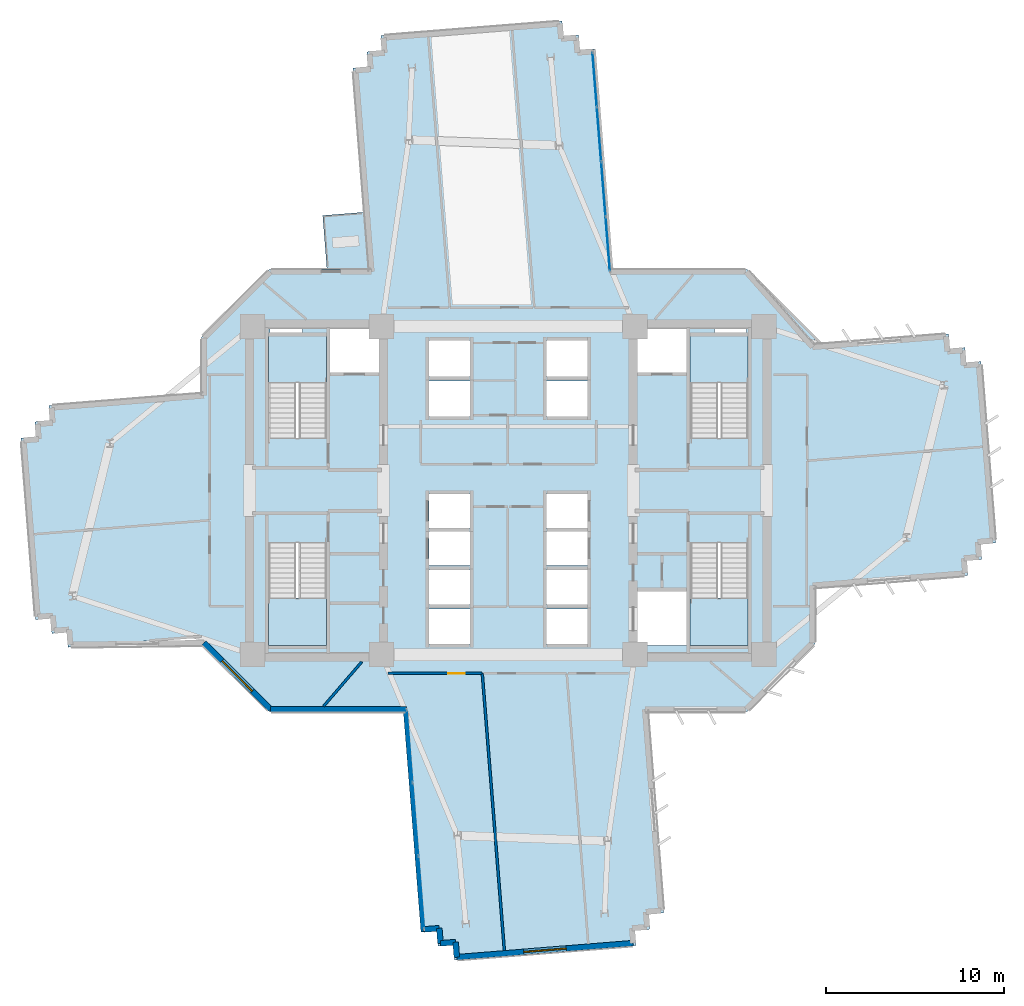
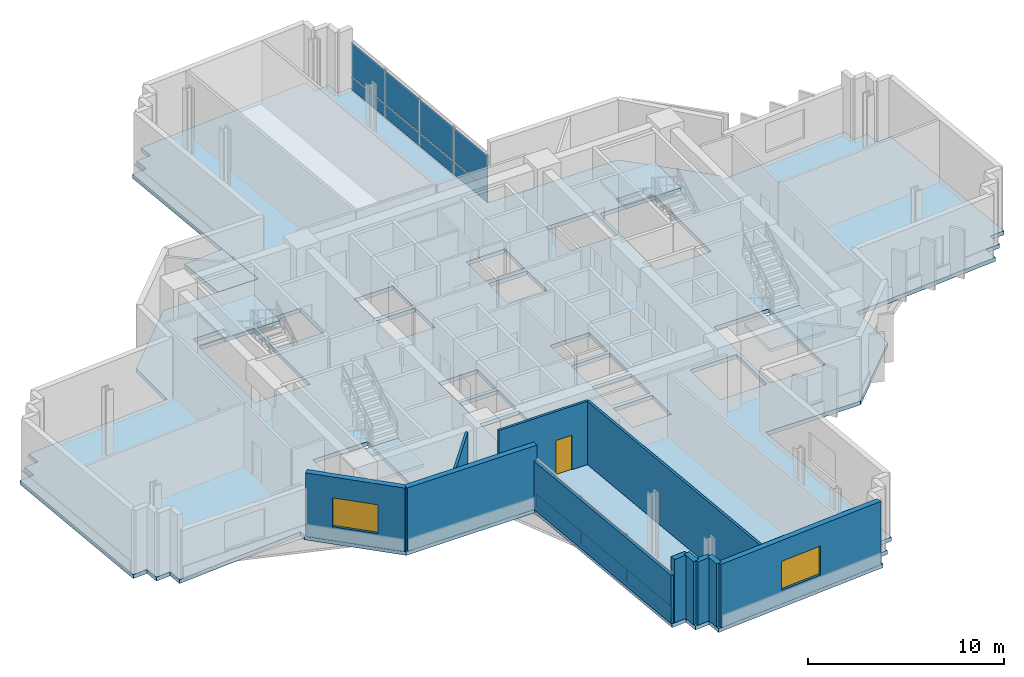
# One storey, part 5 of 15: 14 plates, 11 walls, 6 slabs, 2 windows, 1 door, 3 openings, 6 elements without a shape of their own.
"""IFC4 building model written with IfcOpenShell, lengths in metres."""

from ifc_helpers import new_model, si_unit, direction, frame, frame_2d, origin, origin_2d, place, context, subcontext, project, spatial, polyline, rectangle, outline, extrude, source, transform, mapped, material, layer, layer_set, type_object, element, fill, aggregate, save


model = new_model("IFC4")

# Units and contexts
model_context = context("Model", 3, precision=1e-05, world=origin(), true_north=direction((0.0, 1.0)))
body_context = subcontext(model_context, "Body", "Model", "MODEL_VIEW")
ifc_project = project(units=[si_unit("LENGTHUNIT", "METRE"), si_unit("AREAUNIT", "SQUARE_METRE"), si_unit("VOLUMEUNIT", "CUBIC_METRE"), si_unit("PLANEANGLEUNIT", "RADIAN"), si_unit("MASSUNIT", "GRAM", prefix="KILO")], contexts=[model_context])

# Site, building, storey
site_placement = place(None, origin())
site = spatial("IfcSite", under=ifc_project, at=site_placement, CompositionType="ELEMENT")
building_placement = place(site_placement, origin())
building = spatial("IfcBuilding", under=site, at=building_placement, Name="Zahravan Cultural Tower", CompositionType="ELEMENT")
storey_placement = place(building_placement, frame((0.0, 0.0, 83.699951171875)))
storey = spatial("IfcBuildingStorey", under=building, at=storey_placement, Name="L18", CompositionType="ELEMENT", Elevation=83.699951171875)

# Stair, slab
ifc_material_1 = material(Name="Concrete C45/55", Category="concrete")
stair_type = type_object("IfcStairType", Name="STR-DL-1550-420", PredefinedType="HALF_TURN_STAIR", material=ifc_material_1)
stair_1_placement = place(storey_placement, origin())
stair_1 = element("IfcStair", 1, at=stair_1_placement, inside=storey, type_object=stair_type, Name="L18 West Core North Exit Stair ST-W1", PredefinedType="HALF_TURN_STAIR")
ifc_layer_1 = layer(ifc_material_1, 0.199951171875)
ifc_layer_set_1 = layer_set([ifc_layer_1], Name="Concrete C45/55")
slab_type_1 = type_object("IfcSlabType", Name="SL-STAIR-LND200", PredefinedType="LANDING", material=ifc_layer_set_1)
slab_1_placement = place(storey_placement, frame((0.0, 0.0, 1.900146484375)))
slab_1 = element("IfcSlab", 2, at=slab_1_placement, type_object=slab_type_1, Name="ST-W1 landing 1", PredefinedType="LANDING", context=body_context, shape_type="SweptSolid", body=[
    extrude(outline(polyline([(25.800048828125, 33.030029296875), (25.800048828125, 35.699951171875), (22.550048828125, 35.699951171875), (22.550048828125, 33.030029296875), (25.800048828125, 33.030029296875)])), origin(), (0.0, 0.0, 1.0), 0.199951171875),
])
aggregate(stair_1, [slab_1])

stair_2_placement = place(storey_placement, origin())
stair_2 = element("IfcStair", 3, at=stair_2_placement, inside=storey, type_object=stair_type, Name="L18 West Core South Exit Stair ST-W2", PredefinedType="HALF_TURN_STAIR")
slab_2_placement = place(storey_placement, frame((0.0, 0.0, 1.900146484375)))
slab_2 = element("IfcSlab", 4, at=slab_2_placement, type_object=slab_type_1, Name="ST-W2 landing 1", PredefinedType="LANDING", context=body_context, shape_type="SweptSolid", body=[
    extrude(outline(polyline([(22.550048828125, 20.969970703125), (22.550048828125, 18.300048828125), (25.800048828125, 18.300048828125), (25.800048828125, 20.969970703125), (22.550048828125, 20.969970703125)])), origin(), (0.0, 0.0, 1.0), 0.199951171875),
])
aggregate(stair_2, [slab_2])

stair_3_placement = place(storey_placement, origin())
stair_3 = element("IfcStair", 5, at=stair_3_placement, inside=storey, type_object=stair_type, Name="L18 East Core North Exit Stair ST-E1", PredefinedType="HALF_TURN_STAIR")
slab_3_placement = place(storey_placement, frame((0.0, 0.0, 1.900146484375)))
slab_3 = element("IfcSlab", 6, at=slab_3_placement, type_object=slab_type_1, Name="ST-E1 landing 1", PredefinedType="LANDING", context=body_context, shape_type="SweptSolid", body=[
    extrude(outline(polyline([(49.449951171875, 33.030029296875), (49.449951171875, 35.699951171875), (46.199951171875, 35.699951171875), (46.199951171875, 33.030029296875), (49.449951171875, 33.030029296875)])), origin(), (0.0, 0.0, 1.0), 0.199951171875),
])
aggregate(stair_3, [slab_3])

stair_4_placement = place(storey_placement, origin())
stair_4 = element("IfcStair", 7, at=stair_4_placement, inside=storey, type_object=stair_type, Name="L18 East Core South Exit Stair ST-E2", PredefinedType="HALF_TURN_STAIR")
slab_4_placement = place(storey_placement, frame((0.0, 0.0, 1.900146484375)))
slab_4 = element("IfcSlab", 8, at=slab_4_placement, type_object=slab_type_1, Name="ST-E2 landing 1", PredefinedType="LANDING", context=body_context, shape_type="SweptSolid", body=[
    extrude(outline(polyline([(46.199951171875, 20.969970703125), (46.199951171875, 18.300048828125), (49.449951171875, 18.300048828125), (49.449951171875, 20.969970703125), (46.199951171875, 20.969970703125)])), origin(), (0.0, 0.0, 1.0), 0.199951171875),
])
aggregate(stair_4, [slab_4])

# Slabs
ifc_material_2 = material(Name="Concrete C40/50", Category="concrete")
ifc_layer_2 = layer(ifc_material_2, 0.239990234375)
ifc_layer_set_2 = layer_set([ifc_layer_2], Name="Concrete C40/50")
slab_type_2 = type_object("IfcSlabType", Name="SL-TERR-240", PredefinedType="FLOOR", material=ifc_layer_set_2)
slab_5_placement = place(storey_placement, frame((0.0, 0.0, -0.239990234375)))
element("IfcSlab", 9, at=slab_5_placement, inside=storey, type_object=slab_type_2, Name="L18 Planted Sculpture Terrace NW", PredefinedType="FLOOR", context=body_context, shape_type="SweptSolid", body=[
    extrude(outline(polyline([(25.591064453125, 42.42138671875), (25.83154296875, 39.405029296875), (28.18408203125, 39.405029296875), (27.9287109375, 42.607666015625), (25.591064453125, 42.42138671875)])), origin(), (0.0, 0.0, 1.0), 0.239990234375),
])
ifc_layer_3 = layer(ifc_material_2, 0.25)
ifc_layer_set_3 = layer_set([ifc_layer_3], Name="Concrete C40/50")
slab_type_3 = type_object("IfcSlabType", Name="SL-TYP-250", PredefinedType="FLOOR", material=ifc_layer_set_3)
slab_6_placement = place(storey_placement, frame((0.0, 0.0, -0.25)))
element("IfcSlab", 10, at=slab_6_placement, inside=storey, type_object=slab_type_3, Name="L18 Structural Floor Slab", PredefinedType="FLOOR", context=body_context, shape_type="SweptSolid", body=[
    extrude(outline(polyline([(53.199951171875, 35.193359375), (53.199951171875, 35.60009765625), (49.39990234375, 39.39990234375), (41.832763671875, 39.39990234375), (40.8466796875, 51.763671875), (39.999267578125, 51.696044921875), (39.931640625, 52.54345703125), (39.08447265625, 52.475830078125), (39.016845703125, 53.3232421875), (28.84912109375, 52.51220703125), (28.91650390625, 51.664794921875), (28.0693359375, 51.597412109375), (28.136962890625, 50.75), (27.28955078125, 50.6826171875), (28.189453125, 39.39990234375), (22.60009765625, 39.39990234375), (18.800048828125, 35.60009765625), (18.800048828125, 32.44970703125), (10.239501953125, 31.76708984375), (10.306884765625, 30.919677734375), (9.459716796875, 30.852294921875), (9.52734375, 30.0048828125), (8.679931640625, 29.937255859375), (9.490966796875, 19.76953125), (10.338134765625, 19.837158203125), (10.40576171875, 18.98974609375), (11.253173828125, 19.057373046875), (11.32080078125, 18.210205078125), (18.800048828125, 18.806640625), (18.800048828125, 18.39990234375), (22.60009765625, 14.60009765625), (30.167236328125, 14.60009765625), (31.1533203125, 2.236328125), (32.000732421875, 2.303955078125), (32.068359375, 1.45654296875), (32.91552734375, 1.524169921875), (32.983154296875, 0.6767578125), (43.15087890625, 1.48779296875), (43.08349609375, 2.335205078125), (43.9306640625, 2.402587890625), (43.863037109375, 3.25), (44.71044921875, 3.3173828125), (43.810546875, 14.60009765625), (49.39990234375, 14.60009765625), (53.199951171875, 18.39990234375), (53.199951171875, 21.55029296875), (61.760498046875, 22.23291015625), (61.693115234375, 23.080322265625), (62.540283203125, 23.147705078125), (62.47265625, 23.9951171875), (63.320068359375, 24.062744140625), (62.509033203125, 34.23046875), (61.661865234375, 34.162841796875), (61.59423828125, 35.01025390625), (60.746826171875, 34.942626953125), (60.67919921875, 35.789794921875), (53.199951171875, 35.193359375)]), holes=[polyline([(22.550048828125, 29.949951171875), (22.550048828125, 35.699951171875), (25.800048828125, 35.699951171875), (25.800048828125, 29.949951171875), (22.550048828125, 29.949951171875)]), polyline([(22.550048828125, 18.300048828125), (22.550048828125, 24.050048828125), (25.800048828125, 24.050048828125), (25.800048828125, 18.300048828125), (22.550048828125, 18.300048828125)]), polyline([(46.199951171875, 29.949951171875), (46.199951171875, 35.699951171875), (49.449951171875, 35.699951171875), (49.449951171875, 29.949951171875), (46.199951171875, 29.949951171875)]), polyline([(46.199951171875, 18.300048828125), (46.199951171875, 24.050048828125), (49.449951171875, 24.050048828125), (49.449951171875, 18.300048828125), (46.199951171875, 18.300048828125)]), polyline([(26.0, 33.60009765625), (26.0, 36.050048828125), (28.75, 36.050048828125), (28.75, 33.60009765625), (26.0, 33.60009765625)]), polyline([(43.25, 33.60009765625), (43.25, 36.050048828125), (46.0, 36.050048828125), (46.0, 33.60009765625), (43.25, 33.60009765625)]), polyline([(43.25, 18.300048828125), (43.25, 21.35009765625), (46.0, 21.35009765625), (46.0, 18.300048828125), (43.25, 18.300048828125)]), polyline([(31.550048828125, 33.39990234375), (31.550048828125, 35.39990234375), (33.85009765625, 35.39990234375), (33.85009765625, 33.39990234375), (31.550048828125, 33.39990234375)]), polyline([(31.550048828125, 31.14990234375), (31.550048828125, 33.14990234375), (33.85009765625, 33.14990234375), (33.85009765625, 31.14990234375), (31.550048828125, 31.14990234375)]), polyline([(38.14990234375, 33.39990234375), (38.14990234375, 35.39990234375), (40.449951171875, 35.39990234375), (40.449951171875, 33.39990234375), (38.14990234375, 33.39990234375)]), polyline([(38.14990234375, 31.14990234375), (38.14990234375, 33.14990234375), (40.449951171875, 33.14990234375), (40.449951171875, 31.14990234375), (38.14990234375, 31.14990234375)]), polyline([(31.550048828125, 20.60009765625), (31.550048828125, 22.550048828125), (33.85009765625, 22.550048828125), (33.85009765625, 20.60009765625), (31.550048828125, 20.60009765625)]), polyline([(31.550048828125, 18.39990234375), (31.550048828125, 20.35009765625), (33.85009765625, 20.35009765625), (33.85009765625, 18.39990234375), (31.550048828125, 18.39990234375)]), polyline([(38.14990234375, 20.60009765625), (38.14990234375, 22.550048828125), (40.449951171875, 22.550048828125), (40.449951171875, 20.60009765625), (38.14990234375, 20.60009765625)]), polyline([(38.14990234375, 18.39990234375), (38.14990234375, 20.35009765625), (40.449951171875, 20.35009765625), (40.449951171875, 18.39990234375), (38.14990234375, 18.39990234375)]), polyline([(31.550048828125, 24.89990234375), (31.550048828125, 26.800048828125), (33.85009765625, 26.800048828125), (33.85009765625, 24.89990234375), (31.550048828125, 24.89990234375)]), polyline([(31.550048828125, 22.800048828125), (31.550048828125, 24.699951171875), (33.85009765625, 24.699951171875), (33.85009765625, 22.800048828125), (31.550048828125, 22.800048828125)]), polyline([(38.14990234375, 24.89990234375), (38.14990234375, 26.800048828125), (40.449951171875, 26.800048828125), (40.449951171875, 24.89990234375), (38.14990234375, 24.89990234375)]), polyline([(38.14990234375, 22.800048828125), (38.14990234375, 24.699951171875), (40.449951171875, 24.699951171875), (40.449951171875, 22.800048828125), (38.14990234375, 22.800048828125)]), polyline([(22.64990234375, 35.800048828125), (22.64990234375, 36.419921875), (24.449951171875, 36.419921875), (24.449951171875, 35.800048828125), (22.64990234375, 35.800048828125)]), polyline([(47.550048828125, 35.800048828125), (47.550048828125, 36.419921875), (49.35009765625, 36.419921875), (49.35009765625, 35.800048828125), (47.550048828125, 35.800048828125)])]), origin(), (0.0, 0.0, 1.0), 0.25),
])

# Curtain wall, plates
ifc_material_3 = material(Name="Anodised bronze-aluminium mullion", Category="aluminium")
ifc_layer_4 = layer(ifc_material_3, 0.199951171875)
ifc_layer_set_4 = layer_set([ifc_layer_4], Name="Anodised bronze-aluminium mullion")
curtain_wall_type_1 = type_object("IfcCurtainWallType", Name="CW-SYS-2", PredefinedType="USERDEFINED", material=ifc_layer_set_4)
curtain_wall_1_placement = place(storey_placement, origin())
curtain_wall_1 = element("IfcCurtainWall", 11, at=curtain_wall_1_placement, inside=storey, type_object=curtain_wall_type_1, Name="L18 Recessed Curtain Wall CW-2.1", ObjectType="RECESSED GLAZING", PredefinedType="USERDEFINED")
ifc_material_4 = material(Name="Low-E solar-control double glazing", Category="glass")
ifc_layer_5 = layer(ifc_material_4, 0.030029296875)
ifc_layer_set_5 = layer_set([ifc_layer_5], Name="Low-E solar-control double glazing")
plate_type_1 = type_object("IfcPlateType", Name="CWP-CW-2", PredefinedType="CURTAIN_PANEL", material=ifc_layer_set_5)
shared_shape_1 = source(origin(), body_context, "Body", "SweptSolid", [
    extrude(rectangle(XDim=4.018310546875, YDim=0.030029296875, at=origin_2d()), origin(), (0.0, 0.0, 1.0), 0.78759765625),
])
plate_1_placement = place(storey_placement, frame((31.1162109375, 4.464599609375, 0.074951171875), z_axis=(0.0, 0.0, 1.0), x_axis=(-0.079501464817, 0.996834749139, 0.0)))
plate_1 = element("IfcPlate", 12, at=plate_1_placement, type_object=plate_type_1, Name="CW-2 panel 1.1", PredefinedType="CURTAIN_PANEL", context=body_context, shape_type="MappedRepresentation", body=[
    mapped(shared_shape_1, transform((0.0, 0.0, 0.0), x_axis=(1.0, 0.0, 0.0), y_axis=(0.0, 1.0, 0.0), z_axis=(0.0, 0.0, 1.0), scale=1.0)),
])
plate_2_placement = place(storey_placement, frame((30.46240234375, 12.66259765625, 0.074951171875), z_axis=(0.0, 0.0, 1.0), x_axis=(-0.079501464817, 0.996834749139, 0.0)))
plate_2 = element("IfcPlate", 13, at=plate_2_placement, type_object=plate_type_1, Name="CW-2 panel 3.1", PredefinedType="CURTAIN_PANEL", context=body_context, shape_type="MappedRepresentation", body=[
    mapped(shared_shape_1, transform((0.0, 0.0, 0.0), x_axis=(1.0, 0.0, 0.0), y_axis=(0.0, 1.0, 0.0), z_axis=(0.0, 0.0, 1.0), scale=1.0)),
])
shared_shape_2 = source(origin(), body_context, "Body", "SweptSolid", [
    extrude(rectangle(XDim=4.018310546875, YDim=0.030029296875, at=origin_2d()), origin(), (0.0, 0.0, 1.0), 2.0576171875),
])
plate_3_placement = place(storey_placement, frame((31.1162109375, 4.464599609375, 0.9375), z_axis=(0.0, 0.0, 1.0), x_axis=(-0.079501464817, 0.996834749139, 0.0)))
plate_3 = element("IfcPlate", 14, at=plate_3_placement, type_object=plate_type_1, Name="CW-2 panel 1.2", PredefinedType="CURTAIN_PANEL", context=body_context, shape_type="MappedRepresentation", body=[
    mapped(shared_shape_2, transform((0.0, 0.0, 0.0), x_axis=(1.0, 0.0, 0.0), y_axis=(0.0, 1.0, 0.0), z_axis=(0.0, 0.0, 1.0), scale=1.0)),
])
plate_4_placement = place(storey_placement, frame((30.46240234375, 12.66259765625, 0.9375), z_axis=(0.0, 0.0, 1.0), x_axis=(-0.079501464817, 0.996834749139, 0.0)))
plate_4 = element("IfcPlate", 15, at=plate_4_placement, type_object=plate_type_1, Name="CW-2 panel 3.2", PredefinedType="CURTAIN_PANEL", context=body_context, shape_type="MappedRepresentation", body=[
    mapped(shared_shape_2, transform((0.0, 0.0, 0.0), x_axis=(1.0, 0.0, 0.0), y_axis=(0.0, 1.0, 0.0), z_axis=(0.0, 0.0, 1.0), scale=1.0)),
])
shared_shape_3 = source(origin(), body_context, "Body", "SweptSolid", [
    extrude(rectangle(XDim=4.0556640625, YDim=0.030029296875, at=origin_2d()), origin(), (0.0, 0.0, 1.0), 0.78759765625),
])
plate_5_placement = place(storey_placement, frame((30.789306640625, 8.5634765625, 0.074951171875), z_axis=(0.0, 0.0, 1.0), x_axis=(-0.079501464817, 0.996834749139, 0.0)))
plate_5 = element("IfcPlate", 16, at=plate_5_placement, type_object=plate_type_1, Name="CW-2 panel 2.1", PredefinedType="CURTAIN_PANEL", context=body_context, shape_type="MappedRepresentation", body=[
    mapped(shared_shape_3, transform((0.0, 0.0, 0.0), x_axis=(1.0, 0.0, 0.0), y_axis=(0.0, 1.0, 0.0), z_axis=(0.0, 0.0, 1.0), scale=1.0)),
])
shared_shape_4 = source(origin(), body_context, "Body", "SweptSolid", [
    extrude(rectangle(XDim=4.0556640625, YDim=0.030029296875, at=origin_2d()), origin(), (0.0, 0.0, 1.0), 2.0576171875),
])
plate_6_placement = place(storey_placement, frame((30.789306640625, 8.5634765625, 0.9375), z_axis=(0.0, 0.0, 1.0), x_axis=(-0.079501464817, 0.996834749139, 0.0)))
plate_6 = element("IfcPlate", 17, at=plate_6_placement, type_object=plate_type_1, Name="CW-2 panel 2.2", PredefinedType="CURTAIN_PANEL", context=body_context, shape_type="MappedRepresentation", body=[
    mapped(shared_shape_4, transform((0.0, 0.0, 0.0), x_axis=(1.0, 0.0, 0.0), y_axis=(0.0, 1.0, 0.0), z_axis=(0.0, 0.0, 1.0), scale=1.0)),
])
aggregate(curtain_wall_1, [plate_1, plate_3, plate_5, plate_6, plate_2, plate_4])

ifc_layer_6 = layer(ifc_material_3, 0.179931640625)
ifc_layer_set_6 = layer_set([ifc_layer_6], Name="Anodised bronze-aluminium mullion")
curtain_wall_type_2 = type_object("IfcCurtainWallType", Name="CW-SYS-3", PredefinedType="USERDEFINED", material=ifc_layer_set_6)
curtain_wall_2_placement = place(storey_placement, origin())
curtain_wall_2 = element("IfcCurtainWall", 18, at=curtain_wall_2_placement, inside=storey, type_object=curtain_wall_type_2, Name="L18 Recessed Curtain Wall CW-3.2", ObjectType="RECESSED GLAZING", PredefinedType="USERDEFINED")
ifc_layer_7 = layer(ifc_material_4, 0.028076171875)
ifc_layer_set_7 = layer_set([ifc_layer_7], Name="Low-E solar-control double glazing")
plate_type_2 = type_object("IfcPlateType", Name="CWP-CW-3", PredefinedType="CURTAIN_PANEL", material=ifc_layer_set_7)
shared_shape_5 = source(origin(), body_context, "Body", "SweptSolid", [
    extrude(rectangle(XDim=2.9931640625, YDim=0.028076171875, at=origin_2d()), origin(), (0.0, 0.0, 1.0), 0.794921875),
])
plate_7_placement = place(storey_placement, frame((40.8427734375, 50.051513671875, 0.070068359375), z_axis=(0.0, 0.0, 1.0), x_axis=(0.079501464817, -0.996834749139, 0.0)))
plate_7 = element("IfcPlate", 19, at=plate_7_placement, type_object=plate_type_2, Name="CW-3 panel 1.1", PredefinedType="CURTAIN_PANEL", context=body_context, shape_type="MappedRepresentation", body=[
    mapped(shared_shape_5, transform((0.0, 0.0, 0.0), x_axis=(1.0, 0.0, 0.0), y_axis=(0.0, 1.0, 0.0), z_axis=(0.0, 0.0, 1.0), scale=1.0)),
])
plate_8_placement = place(storey_placement, frame((41.578857421875, 40.821533203125, 0.070068359375), z_axis=(0.0, 0.0, 1.0), x_axis=(0.079501464817, -0.996834749139, 0.0)))
plate_8 = element("IfcPlate", 20, at=plate_8_placement, type_object=plate_type_2, Name="CW-3 panel 4.1", PredefinedType="CURTAIN_PANEL", context=body_context, shape_type="MappedRepresentation", body=[
    mapped(shared_shape_5, transform((0.0, 0.0, 0.0), x_axis=(1.0, 0.0, 0.0), y_axis=(0.0, 1.0, 0.0), z_axis=(0.0, 0.0, 1.0), scale=1.0)),
])
shared_shape_6 = source(origin(), body_context, "Body", "SweptSolid", [
    extrude(rectangle(XDim=2.9931640625, YDim=0.028076171875, at=origin_2d()), origin(), (0.0, 0.0, 1.0), 2.06494140625),
])
plate_9_placement = place(storey_placement, frame((40.8427734375, 50.051513671875, 0.93505859375), z_axis=(0.0, 0.0, 1.0), x_axis=(0.079501464817, -0.996834749139, 0.0)))
plate_9 = element("IfcPlate", 21, at=plate_9_placement, type_object=plate_type_2, Name="CW-3 panel 1.2", PredefinedType="CURTAIN_PANEL", context=body_context, shape_type="MappedRepresentation", body=[
    mapped(shared_shape_6, transform((0.0, 0.0, 0.0), x_axis=(1.0, 0.0, 0.0), y_axis=(0.0, 1.0, 0.0), z_axis=(0.0, 0.0, 1.0), scale=1.0)),
])
plate_10_placement = place(storey_placement, frame((41.578857421875, 40.821533203125, 0.93505859375), z_axis=(0.0, 0.0, 1.0), x_axis=(0.079501464817, -0.996834749139, 0.0)))
plate_10 = element("IfcPlate", 22, at=plate_10_placement, type_object=plate_type_2, Name="CW-3 panel 4.2", PredefinedType="CURTAIN_PANEL", context=body_context, shape_type="MappedRepresentation", body=[
    mapped(shared_shape_6, transform((0.0, 0.0, 0.0), x_axis=(1.0, 0.0, 0.0), y_axis=(0.0, 1.0, 0.0), z_axis=(0.0, 0.0, 1.0), scale=1.0)),
])
shared_shape_7 = source(origin(), body_context, "Body", "SweptSolid", [
    extrude(rectangle(XDim=3.028076171875, YDim=0.028076171875, at=origin_2d()), origin(), (0.0, 0.0, 1.0), 0.794921875),
])
plate_11_placement = place(storey_placement, frame((41.087646484375, 46.980712890625, 0.070068359375), z_axis=(0.0, 0.0, 1.0), x_axis=(0.079501464817, -0.996834749139, 0.0)))
plate_11 = element("IfcPlate", 23, at=plate_11_placement, type_object=plate_type_2, Name="CW-3 panel 2.1", PredefinedType="CURTAIN_PANEL", context=body_context, shape_type="MappedRepresentation", body=[
    mapped(shared_shape_7, transform((0.0, 0.0, 0.0), x_axis=(1.0, 0.0, 0.0), y_axis=(0.0, 1.0, 0.0), z_axis=(0.0, 0.0, 1.0), scale=1.0)),
])
plate_12_placement = place(storey_placement, frame((41.333984375, 43.892333984375, 0.070068359375), z_axis=(0.0, 0.0, 1.0), x_axis=(0.079501464817, -0.996834749139, 0.0)))
plate_12 = element("IfcPlate", 24, at=plate_12_placement, type_object=plate_type_2, Name="CW-3 panel 3.1", PredefinedType="CURTAIN_PANEL", context=body_context, shape_type="MappedRepresentation", body=[
    mapped(shared_shape_7, transform((0.0, 0.0, 0.0), x_axis=(1.0, 0.0, 0.0), y_axis=(0.0, 1.0, 0.0), z_axis=(0.0, 0.0, 1.0), scale=1.0)),
])
shared_shape_8 = source(origin(), body_context, "Body", "SweptSolid", [
    extrude(rectangle(XDim=3.028076171875, YDim=0.028076171875, at=origin_2d()), origin(), (0.0, 0.0, 1.0), 2.06494140625),
])
plate_13_placement = place(storey_placement, frame((41.087646484375, 46.980712890625, 0.93505859375), z_axis=(0.0, 0.0, 1.0), x_axis=(0.079501464817, -0.996834749139, 0.0)))
plate_13 = element("IfcPlate", 25, at=plate_13_placement, type_object=plate_type_2, Name="CW-3 panel 2.2", PredefinedType="CURTAIN_PANEL", context=body_context, shape_type="MappedRepresentation", body=[
    mapped(shared_shape_8, transform((0.0, 0.0, 0.0), x_axis=(1.0, 0.0, 0.0), y_axis=(0.0, 1.0, 0.0), z_axis=(0.0, 0.0, 1.0), scale=1.0)),
])
plate_14_placement = place(storey_placement, frame((41.333984375, 43.892333984375, 0.93505859375), z_axis=(0.0, 0.0, 1.0), x_axis=(0.079501464817, -0.996834749139, 0.0)))
plate_14 = element("IfcPlate", 26, at=plate_14_placement, type_object=plate_type_2, Name="CW-3 panel 3.2", PredefinedType="CURTAIN_PANEL", context=body_context, shape_type="MappedRepresentation", body=[
    mapped(shared_shape_8, transform((0.0, 0.0, 0.0), x_axis=(1.0, 0.0, 0.0), y_axis=(0.0, 1.0, 0.0), z_axis=(0.0, 0.0, 1.0), scale=1.0)),
])
aggregate(curtain_wall_2, [plate_7, plate_9, plate_11, plate_13, plate_12, plate_14, plate_8, plate_10])

# Wall, opening, window
ifc_material_5 = material(Name="Precast concrete C40/50", Category="concrete")
ifc_layer_8 = layer(ifc_material_5, 0.320068359375)
ifc_layer_set_8 = layer_set([ifc_layer_8], Name="Precast concrete C40/50")
wall_type_1 = type_object("IfcWallType", Name="EW-TC-320", PredefinedType="SOLIDWALL", material=ifc_layer_set_8)
wall_1_placement = place(storey_placement, frame((43.000244140625, 1.6162109375, 0.0), z_axis=(0.0, 0.0, 1.0), x_axis=(-0.996833485558, -0.079517306731, 0.0)))
wall_1 = element("IfcWall", 27, at=wall_1_placement, inside=storey, type_object=wall_type_1, Name="L18 Exterior Masonry Frame Wall 20", PredefinedType="SOLIDWALL", context=body_context, shape_type="SweptSolid", body=[
    extrude(rectangle(XDim=9.920166015625, YDim=0.320068359375, at=frame_2d((4.9599609375, 0.0))), origin(), (0.0, 0.0, 1.0), 3.949951171875),
])
opening_1_placement = place(wall_1_placement, frame((3.760009765625, 0.0, 0.85009765625)))
opening_1 = element("IfcOpeningElement", 28, at=opening_1_placement, cuts=wall_1, Name="Opening WN-01", PredefinedType="OPENING", context=body_context, shape_type="SweptSolid", body=[
    extrude(rectangle(XDim=2.39990234375, YDim=1.800048828125, at=frame_2d((1.199951171875, 0.89990234375))), frame((0.0, 0.169921875, 0.0), z_axis=(0.0, -1.0, 0.0), x_axis=(1.0, 0.0, 0.0)), (0.0, 0.0, 1.0), 0.340087890625),
])
window_type = type_object("IfcWindowType", Name="WN-REC-2400X1800", PartitioningType="DOUBLE_PANEL_VERTICAL", PredefinedType="WINDOW", material=ifc_material_4)
shared_shape_9 = source(origin(), body_context, "Body", "SweptSolid", [
    extrude(rectangle(XDim=2.39990234375, YDim=1.800048828125, at=frame_2d((1.199951171875, 0.89990234375))), frame((0.0, 0.030029296875, 0.0), z_axis=(0.0, -1.0, 0.0), x_axis=(1.0, 0.0, 0.0)), (0.0, 0.0, 1.0), 0.06005859375),
])
window_1_placement = place(opening_1_placement, origin())
window_1 = element("IfcWindow", 29, at=window_1_placement, inside=storey, type_object=window_type, Name="L18 Recessed Solar Window 06", OverallHeight=1.800048828125, OverallWidth=2.39990234375, PartitioningType="DOUBLE_PANEL_VERTICAL", PredefinedType="WINDOW", context=body_context, shape_type="MappedRepresentation", body=[
    mapped(shared_shape_9, transform((0.0, 0.0, 0.0), x_axis=(1.0, 0.0, 0.0), y_axis=(0.0, 1.0, 0.0), z_axis=(0.0, 0.0, 1.0), scale=1.0)),
])
fill(opening_1, window_1)

wall_2_placement = place(storey_placement, frame((22.657958984375, 14.739990234375, 0.0), z_axis=(0.0, 0.0, 1.0), x_axis=(-0.707106781187, 0.707106781187, 0.0)))
wall_2 = element("IfcWall", 30, at=wall_2_placement, inside=storey, type_object=wall_type_1, Name="L18 Exterior Masonry Frame Wall 26", PredefinedType="SOLIDWALL", context=body_context, shape_type="SweptSolid", body=[
    extrude(rectangle(XDim=5.258056640625, YDim=0.320068359375, at=frame_2d((2.62890625, 0.0))), origin(), (0.0, 0.0, 1.0), 3.949951171875),
])
opening_2_placement = place(wall_2_placement, frame((1.428955078125, 0.0, 0.85009765625)))
opening_2 = element("IfcOpeningElement", 31, at=opening_2_placement, cuts=wall_2, Name="Opening WN-01", PredefinedType="OPENING", context=body_context, shape_type="SweptSolid", body=[
    extrude(rectangle(XDim=2.39990234375, YDim=1.800048828125, at=frame_2d((1.199951171875, 0.89990234375))), frame((0.0, 0.169921875, 0.0), z_axis=(0.0, -1.0, 0.0), x_axis=(1.0, 0.0, 0.0)), (0.0, 0.0, 1.0), 0.340087890625),
])
window_2_placement = place(opening_2_placement, origin())
window_2 = element("IfcWindow", 32, at=window_2_placement, inside=storey, type_object=window_type, Name="L18 Recessed Solar Window 07", OverallHeight=1.800048828125, OverallWidth=2.39990234375, PartitioningType="DOUBLE_PANEL_VERTICAL", PredefinedType="WINDOW", context=body_context, shape_type="MappedRepresentation", body=[
    mapped(shared_shape_9, transform((0.0, 0.0, 0.0), x_axis=(1.0, 0.0, 0.0), y_axis=(0.0, 1.0, 0.0), z_axis=(0.0, 0.0, 1.0), scale=1.0)),
])
fill(opening_2, window_2)

# Wall, opening, door
ifc_material_6 = material(Name="Gypsum plasterboard partition")
ifc_layer_9 = layer(ifc_material_6, 0.139892578125)
ifc_layer_set_9 = layer_set([ifc_layer_9], Name="Gypsum plasterboard partition")
wall_type_2 = type_object("IfcWallType", Name="W-PART-140", PredefinedType="PARTITIONING", material=ifc_layer_set_9)
wall_3_placement = place(storey_placement, frame((29.257568359375, 16.740234375, 0.0), z_axis=(0.0, 0.0, 1.0), x_axis=(0.999999998924, -4.6384341e-05, 0.0)))
wall_3 = element("IfcWall", 33, at=wall_3_placement, inside=storey, type_object=wall_type_2, Name="L18 Interior Wall 099", PredefinedType="PARTITIONING", context=body_context, shape_type="SweptSolid", body=[
    extrude(rectangle(XDim=5.263427734375, YDim=0.139892578125, at=frame_2d((2.6318359375, 0.0))), origin(), (0.0, 0.0, 1.0), 3.949951171875),
])
opening_3_placement = place(wall_3_placement, frame((3.364501953125, 0.0, 0.0)))
opening_3 = element("IfcOpeningElement", 34, at=opening_3_placement, cuts=wall_3, Name="Opening D-L18-26", PredefinedType="OPENING", context=body_context, shape_type="SweptSolid", body=[
    extrude(rectangle(XDim=0.949951171875, YDim=2.14990234375, at=frame_2d((0.47509765625, 1.074951171875))), frame((0.0, 0.079833984375, 0.0), z_axis=(0.0, -1.0, 0.0), x_axis=(1.0, 0.0, 0.0)), (0.0, 0.0, 1.0), 0.159912109375),
])
door_type = type_object("IfcDoorType", Name="DR-ROOM-950", OperationType="NOTDEFINED", PredefinedType="DOOR", material=ifc_material_3)
shared_shape_10 = source(origin(), body_context, "Body", "SweptSolid", [
    extrude(rectangle(XDim=0.949951171875, YDim=2.14990234375, at=frame_2d((0.47509765625, 1.074951171875))), frame((0.0, 0.02490234375, 0.0), z_axis=(0.0, -1.0, 0.0), x_axis=(1.0, 0.0, 0.0)), (0.0, 0.0, 1.0), 0.050048828125),
])
door_placement = place(opening_3_placement, origin())
door = element("IfcDoor", 35, at=door_placement, inside=storey, type_object=door_type, Name="L18 Door D-L18-26", OperationType="SINGLE_SWING_LEFT", OverallHeight=2.14990234375, OverallWidth=0.949951171875, PredefinedType="DOOR", context=body_context, shape_type="MappedRepresentation", body=[
    mapped(shared_shape_10, transform((0.0, 0.0, 0.0), x_axis=(1.0, 0.0, 0.0), y_axis=(0.0, 1.0, 0.0), z_axis=(0.0, 0.0, 1.0), scale=1.0)),
])
fill(opening_3, door)

# Walls
shared_shape_11 = source(origin(), body_context, "Body", "SweptSolid", [
    extrude(rectangle(XDim=0.849853515625, YDim=0.320068359375, at=frame_2d((0.4248046875, 0.0))), origin(), (0.0, 0.0, 1.0), 3.949951171875),
])
for number, where, z_axis, x_axis, name in (
    (36, (33.0439453125, 1.6748046875, 0.0), (0.0, 0.0, 1.0), (-0.996851711541, -0.079288493483, 0.0), "L18 Exterior Masonry Frame Wall 22"),
    (37, (32.19677734375, 1.607421875, 0.0), (0.0, 0.0, 1.0), (-0.079573954853, 0.996828965123, 0.0), "L18 Exterior Masonry Frame Wall 23"),
):
    element("IfcWall", number, at=place(storey_placement, frame(where, z_axis=z_axis, x_axis=x_axis)), inside=storey, type_object=wall_type_1, Name=name, PredefinedType="SOLIDWALL", context=body_context, shape_type="MappedRepresentation", body=[
        mapped(shared_shape_11, transform((0.0, 0.0, 0.0), x_axis=(1.0, 0.0, 0.0), y_axis=(0.0, 1.0, 0.0), z_axis=(0.0, 0.0, 1.0), scale=1.0)),
    ])
shared_shape_12 = source(origin(), body_context, "Body", "SweptSolid", [
    extrude(rectangle(XDim=0.85009765625, YDim=0.320068359375, at=frame_2d((0.425048828125, 0.0))), origin(), (0.0, 0.0, 1.0), 3.949951171875),
])
for number, where, z_axis, x_axis, name in (
    (38, (33.111572265625, 0.827392578125, 0.0), (0.0, 0.0, 1.0), (-0.079551174585, 0.996830783344, 0.0), "L18 Exterior Masonry Frame Wall 21"),
    (39, (32.129150390625, 2.45458984375, 0.0), (0.0, 0.0, 1.0), (-0.996830783344, -0.079551174585, 0.0), "L18 Exterior Masonry Frame Wall 24"),
):
    element("IfcWall", number, at=place(storey_placement, frame(where, z_axis=z_axis, x_axis=x_axis)), inside=storey, type_object=wall_type_1, Name=name, PredefinedType="SOLIDWALL", context=body_context, shape_type="MappedRepresentation", body=[
        mapped(shared_shape_12, transform((0.0, 0.0, 0.0), x_axis=(1.0, 0.0, 0.0), y_axis=(0.0, 1.0, 0.0), z_axis=(0.0, 0.0, 1.0), scale=1.0)),
    ])
shared_shape_13 = source(origin(), body_context, "Body", "SweptSolid", [
    extrude(rectangle(XDim=7.638671875, YDim=0.320068359375, at=frame_2d((3.8193359375, 0.0))), origin(), (0.0, 0.0, 1.0), 3.949951171875),
])
wall_4_placement = place(storey_placement, frame((30.296630859375, 14.739990234375, 0.0), z_axis=(0.0, 0.0, 1.0), x_axis=(-1.0, 0.0, 0.0)))
element("IfcWall", 40, at=wall_4_placement, inside=storey, type_object=wall_type_1, Name="L18 Exterior Masonry Frame Wall 25", PredefinedType="SOLIDWALL", context=body_context, shape_type="MappedRepresentation", body=[
    mapped(shared_shape_13, transform((0.0, 0.0, 0.0), x_axis=(1.0, 0.0, 0.0), y_axis=(0.0, 1.0, 0.0), z_axis=(0.0, 0.0, 1.0), scale=1.0)),
])
shared_shape_14 = source(origin(), body_context, "Body", "SweptSolid", [
    extrude(rectangle(XDim=15.58349609375, YDim=0.139892578125, at=frame_2d((7.791748046875, 0.0))), origin(), (0.0, 0.0, 1.0), 3.949951171875),
])
wall_5_placement = place(storey_placement, frame((35.780029296875, 1.205810546875, 0.0), z_axis=(0.0, 0.0, 1.0), x_axis=(-0.079507979427, 0.996834229552, 0.0)))
element("IfcWall", 41, at=wall_5_placement, inside=storey, type_object=wall_type_2, Name="L18 Interior Wall 088", PredefinedType="PARTITIONING", context=body_context, shape_type="MappedRepresentation", body=[
    mapped(shared_shape_14, transform((0.0, 0.0, 0.0), x_axis=(1.0, 0.0, 0.0), y_axis=(0.0, 1.0, 0.0), z_axis=(0.0, 0.0, 1.0), scale=1.0)),
])
shared_shape_15 = source(origin(), body_context, "Body", "SweptSolid", [
    extrude(rectangle(XDim=12.356201171875, YDim=0.139892578125, at=frame_2d((6.17822265625, 0.0))), origin(), (0.0, 0.0, 1.0), 3.010009765625),
])
wall_6_placement = place(storey_placement, frame((31.171875, 2.2578125, 0.0), z_axis=(0.0, 0.0, 1.0), x_axis=(-0.079527689156, 0.996832657299, 0.0)))
element("IfcWall", 42, at=wall_6_placement, inside=storey, type_object=wall_type_2, Name="L18 Interior Wall 100", PredefinedType="PARTITIONING", context=body_context, shape_type="MappedRepresentation", body=[
    mapped(shared_shape_15, transform((0.0, 0.0, 0.0), x_axis=(1.0, 0.0, 0.0), y_axis=(0.0, 1.0, 0.0), z_axis=(0.0, 0.0, 1.0), scale=1.0)),
])
shared_shape_16 = source(origin(), body_context, "Body", "SweptSolid", [
    extrude(rectangle(XDim=3.2900390625, YDim=0.139892578125, at=frame_2d((1.64501953125, 0.0))), origin(), (0.0, 0.0, 1.0), 3.949951171875),
])
wall_7_placement = place(storey_placement, frame((25.640380859375, 14.901123046875, 0.0), z_axis=(0.0, 0.0, 1.0), x_axis=(0.652214149627, 0.758034763732, 0.0)))
element("IfcWall", 43, at=wall_7_placement, inside=storey, type_object=wall_type_2, Name="L18 Interior Wall 101", PredefinedType="PARTITIONING", context=body_context, shape_type="MappedRepresentation", body=[
    mapped(shared_shape_16, transform((0.0, 0.0, 0.0), x_axis=(1.0, 0.0, 0.0), y_axis=(0.0, 1.0, 0.0), z_axis=(0.0, 0.0, 1.0), scale=1.0)),
])

save(model, "model.ifc")
